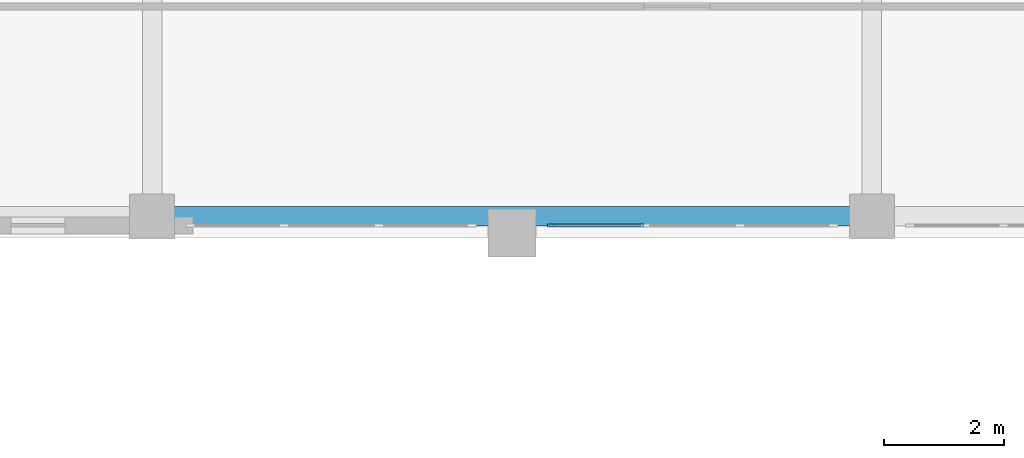
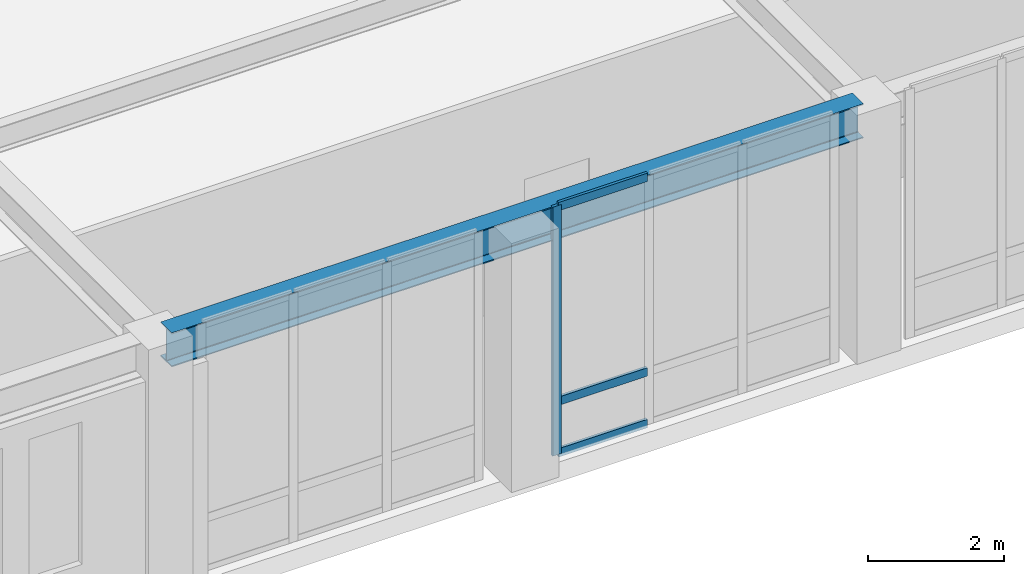
# One storey, part 34 of 79: 4 members, 1 beam, 1 element without a shape of its own.
"""IFC4 building model written with IfcOpenShell, lengths in metres."""

from ifc_helpers import new_model, si_unit, derived_unit, direction, frame, origin, origin_2d, place, context, subcontext, project, spatial, rectangle, i_section, extrude, material, layer, layer_set, material_profile, profile_set, type_object, element, aggregate, save


model = new_model("IFC4")

# Units and contexts
model_context = context("Model", 3, precision=1e-05, world=origin(), true_north=direction((0.0, 1.0)))
body_context = subcontext(model_context, "Body", "Model", "MODEL_VIEW")
ifc_project = project(units=[si_unit("LENGTHUNIT", "METRE"), si_unit("AREAUNIT", "SQUARE_METRE"), si_unit("VOLUMEUNIT", "CUBIC_METRE"), si_unit("PLANEANGLEUNIT", "RADIAN"), si_unit("MASSUNIT", "GRAM", prefix="KILO"), derived_unit("THERMALTRANSMITTANCEUNIT", [(si_unit("MASSUNIT", "GRAM", prefix="KILO"), 1), (si_unit("TIMEUNIT", "SECOND"), -3), (si_unit("THERMODYNAMICTEMPERATUREUNIT", "KELVIN"), -1)])], contexts=[model_context])

# Site, building, storey
site_placement = place(None, origin())
site = spatial("IfcSite", under=ifc_project, at=site_placement, CompositionType="ELEMENT")
building_placement = place(site_placement, origin())
building = spatial("IfcBuilding", under=site, at=building_placement, Name="Valcora Ridge Arena", CompositionType="ELEMENT")
storey_placement = place(building_placement, frame((0.0, 0.0, 16.199951171875)))
storey = spatial("IfcBuildingStorey", under=building, at=storey_placement, Name="L03", CompositionType="ELEMENT", Elevation=16.199951171875)

# Beam
ifc_material_1 = material(Name="Steel ASTM A572 Grade 50", Category="steel")
ifc_material_profile_1 = material_profile(ifc_material_1, i_section(OverallWidth=0.324951171875, OverallDepth=0.612060546875, WebThickness=0.0126953125, FlangeThickness=0.01904296875, FilletRadius=0.01806640625, at=origin_2d()), Name="W24X104")
ifc_profile_set_1 = profile_set([ifc_material_profile_1], Name="Steel ASTM A572 Grade 50")
beam_type = type_object("IfcBeamType", Name="TY-BEAM-G-W24X104-X", PredefinedType="BEAM", material=ifc_profile_set_1)
beam_placement = place(storey_placement, frame((120.139892578125, 108.699951171875, 4.154052734375), z_axis=(1.0, 0.0, 0.0), x_axis=(0.0, 1.0, 0.0)))
element("IfcBeam", 1, at=beam_placement, inside=storey, type_object=beam_type, Name="G-W24X104-X BEM-G-W24X104-X-0105", PredefinedType="BEAM", context=body_context, shape_type="SweptSolid", body=[
    extrude(i_section(OverallWidth=0.324951171875, OverallDepth=0.612060546875, WebThickness=0.0126953125, FlangeThickness=0.01904296875, FilletRadius=0.01806640625, at=origin_2d()), origin(), (0.0, 0.0, 1.0), 11.72021484375),
])

# Curtain wall, members
ifc_material_2 = material(Name="Anodised dark bronze architectural aluminium 6063-T6", Category="aluminium")
ifc_layer = layer(ifc_material_2, 0.14990234375, Name="Anodised dark bronze architectural aluminium 6063-T6")
ifc_layer_set = layer_set([ifc_layer], Name="Anodised dark bronze architectural aluminium 6063-T6")
curtain_wall_type = type_object("IfcCurtainWallType", Name="TY-CURTAINWALL-CW-V5-MED-047X45", PredefinedType="NOTDEFINED", material=ifc_layer_set)
curtain_wall_placement = place(storey_placement, origin())
curtain_wall = element("IfcCurtainWall", 2, at=curtain_wall_placement, inside=storey, type_object=curtain_wall_type, Name="CW-V5-MED-047X45 CW-0337", PredefinedType="NOTDEFINED")
ifc_material_profile_2 = material_profile(ifc_material_2, rectangle(XDim=0.050048828125, YDim=0.14990234375, at=origin_2d()), Name="ALU MULLION 50x150")
ifc_profile_set_2 = profile_set([ifc_material_profile_2], Name="Anodised dark bronze architectural aluminium 6063-T6")
member_type_1 = type_object("IfcMemberType", Name="TY-MEM-CWM-50x150", PredefinedType="MULLION", material=ifc_profile_set_2)
member_1_placement = place(storey_placement, frame((126.6650390625, 108.550048828125, 0.0), z_axis=(0.0, 0.0, 1.0), x_axis=(0.0, 1.0, 0.0)))
member_1 = element("IfcMember", 3, at=member_1_placement, type_object=member_type_1, Name="CW-0337/CWM-50x150/M00", PredefinedType="MULLION", context=body_context, shape_type="SweptSolid", body=[
    extrude(rectangle(XDim=0.050048828125, YDim=0.14990234375, at=origin_2d()), origin(), (0.0, 0.0, 1.0), 4.4599609375),
])
ifc_material_profile_3 = material_profile(ifc_material_2, rectangle(XDim=0.050048828125, YDim=0.14990234375, at=origin_2d()), Name="ALU TRANSOM 50x150")
ifc_profile_set_3 = profile_set([ifc_material_profile_3], Name="Anodised dark bronze architectural aluminium 6063-T6")
member_type_2 = type_object("IfcMemberType", Name="TY-MEM-CWT-50x150", PredefinedType="USERDEFINED", material=ifc_profile_set_3)
member_2_placement = place(storey_placement, frame((126.68994140625, 108.550048828125, 0.025146484375), z_axis=(1.0, 0.0, 0.0), x_axis=(0.0, 1.0, 0.0)))
member_2 = element("IfcMember", 4, at=member_2_placement, type_object=member_type_2, Name="CW-0337/CWT-50x150/T00-00", ObjectType="TRANSOM", PredefinedType="USERDEFINED", context=body_context, shape_type="SweptSolid", body=[
    extrude(rectangle(XDim=0.050048828125, YDim=0.14990234375, at=origin_2d()), origin(), (0.0, 0.0, 1.0), 1.507080078125),
])
member_3_placement = place(storey_placement, frame((126.68994140625, 108.550048828125, 0.949951171875), z_axis=(1.0, 0.0, 0.0), x_axis=(0.0, 1.0, 0.0)))
member_3 = element("IfcMember", 5, at=member_3_placement, type_object=member_type_2, Name="CW-0337/CWT-50x150/T00-01", ObjectType="TRANSOM", PredefinedType="USERDEFINED", context=body_context, shape_type="SweptSolid", body=[
    extrude(rectangle(XDim=0.050048828125, YDim=0.14990234375, at=origin_2d()), origin(), (0.0, 0.0, 1.0), 1.507080078125),
])
member_4_placement = place(storey_placement, frame((126.68994140625, 108.550048828125, 4.43505859375), z_axis=(1.0, 0.0, 0.0), x_axis=(0.0, 1.0, 0.0)))
member_4 = element("IfcMember", 6, at=member_4_placement, type_object=member_type_2, Name="CW-0337/CWT-50x150/T00-02", ObjectType="TRANSOM", PredefinedType="USERDEFINED", context=body_context, shape_type="SweptSolid", body=[
    extrude(rectangle(XDim=0.050048828125, YDim=0.14990234375, at=origin_2d()), origin(), (0.0, 0.0, 1.0), 1.507080078125),
])
aggregate(curtain_wall, [member_1, member_2, member_3, member_4])

save(model, "model.ifc")
